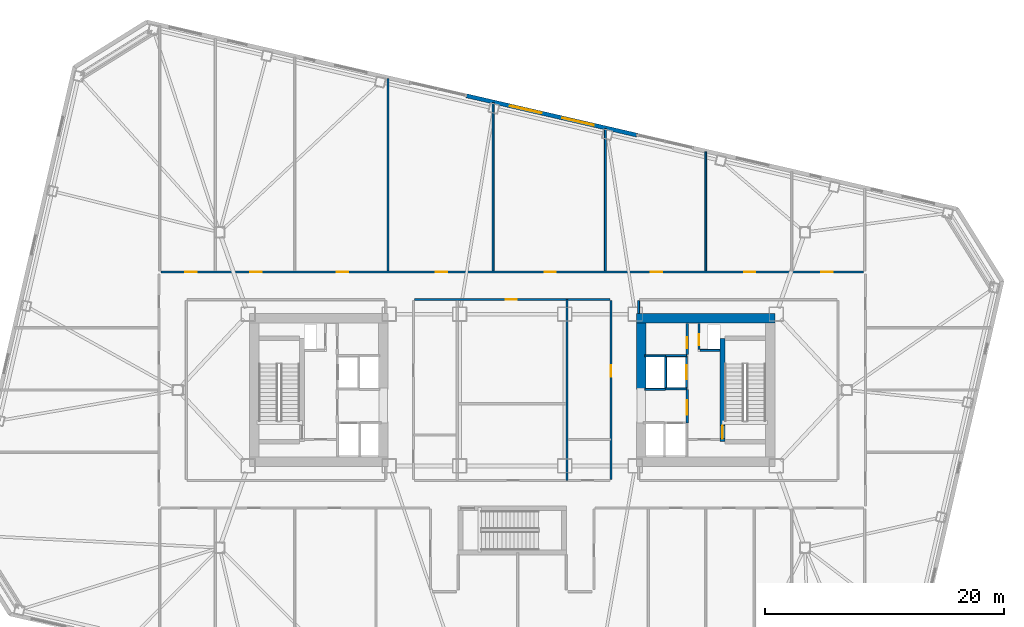
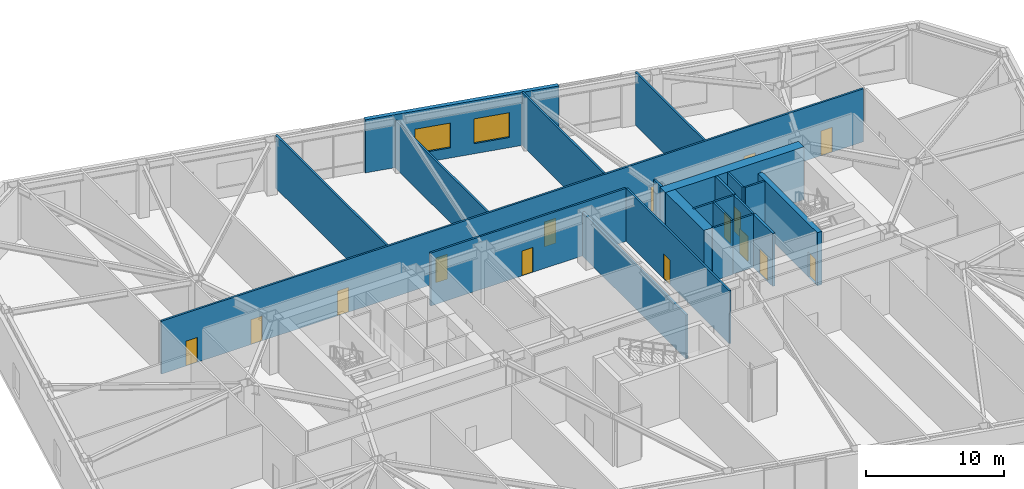
# One storey, part 12 of 20: 23 walls, 15 doors, 2 windows, 17 openings.
"""IFC4 building model written with IfcOpenShell, lengths in metres."""

from ifc_helpers import new_model, si_unit, direction, frame, frame_2d, origin, place, context, subcontext, project, spatial, rectangle, extrude, material, layer, layer_set, type_object, element, fill, save


model = new_model("IFC4")

# Units and contexts
model_context = context("Model", 3, precision=1e-05, world=origin(), true_north=direction((0.0, 1.0)))
body_context = subcontext(model_context, "Body", "Model", "MODEL_VIEW")
ifc_project = project(units=[si_unit("LENGTHUNIT", "METRE"), si_unit("AREAUNIT", "SQUARE_METRE"), si_unit("VOLUMEUNIT", "CUBIC_METRE"), si_unit("PLANEANGLEUNIT", "RADIAN"), si_unit("MASSUNIT", "GRAM", prefix="KILO")], contexts=[model_context])

# Site, building, storey
site_placement = place(None, origin())
site = spatial("IfcSite", under=ifc_project, at=site_placement, CompositionType="ELEMENT")
building_placement = place(site_placement, origin())
building = spatial("IfcBuilding", under=site, at=building_placement, Name="Tavrogorsk Clinical Tower", CompositionType="ELEMENT")
storey_placement = place(building_placement, frame((0.0, 0.0, 18.39990234375)))
storey = spatial("IfcBuildingStorey", under=building, at=storey_placement, Name="L03", CompositionType="ELEMENT", Elevation=18.39990234375)

# Wall, opening, door
ifc_material_1 = material(Name="Concrete B60", Category="concrete")
ifc_layer_1 = layer(ifc_material_1, 0.199951171875)
ifc_layer_set_1 = layer_set([ifc_layer_1], Name="Concrete B60")
wall_type_1 = type_object("IfcWallType", Name="CoreFireWall_200", PredefinedType="SOLIDWALL", material=ifc_layer_set_1)
wall_1_placement = place(storey_placement, frame((14.639892578125, 2.9599609375, 0.0), z_axis=(0.0, 0.0, 1.0), x_axis=(0.0, 1.0, 0.0)))
wall_1 = element("IfcWall", 1, at=wall_1_placement, inside=storey, type_object=wall_type_1, Name="L03 Core East North Core Room East Wall", PredefinedType="SOLIDWALL", context=body_context, shape_type="SweptSolid", body=[
    extrude(rectangle(XDim=2.60009765625, YDim=0.199951171875, at=frame_2d((1.300048828125, 0.0))), origin(), (0.0, 0.0, 1.0), 4.7001953125),
])
opening_1_placement = place(wall_1_placement, frame((0.52001953125, 0.0, 0.0)))
opening_1 = element("IfcOpeningElement", 2, at=opening_1_placement, cuts=wall_1, Name="Opening ID-02", PredefinedType="OPENING", context=body_context, shape_type="SweptSolid", body=[
    extrude(rectangle(XDim=0.949951171875, YDim=2.199951171875, at=frame_2d((0.47509765625, 1.10009765625))), frame((0.0, 0.10986328125, 0.0), z_axis=(0.0, -1.0, 0.0), x_axis=(1.0, 0.0, 0.0)), (0.0, 0.0, 1.0), 0.219970703125),
])
ifc_material_2 = material(Name="Laminated timber leaf on aluminium frame", Category="wood")
door_type_1 = type_object("IfcDoorType", Name="InteriorDoor_ID02_950", OperationType="NOTDEFINED", PredefinedType="DOOR", material=ifc_material_2)
door_1_placement = place(opening_1_placement, origin())
door_1 = element("IfcDoor", 3, at=door_1_placement, inside=storey, type_object=door_type_1, Name="L03 Core East Core Telemetry Room Door", OperationType="SINGLE_SWING_LEFT", OverallHeight=2.199951171875, OverallWidth=0.949951171875, PredefinedType="DOOR", context=body_context, shape_type="SweptSolid", body=[
    extrude(rectangle(XDim=0.949951171875, YDim=2.199951171875, at=frame_2d((0.47509765625, 1.10009765625))), frame((0.0, 0.02490234375, 0.0), z_axis=(0.0, -1.0, 0.0), x_axis=(1.0, 0.0, 0.0)), (0.0, 0.0, 1.0), 0.050048828125),
])
fill(opening_1, door_1)

wall_2_placement = place(storey_placement, frame((14.639892578125, -2.780029296875, 0.0), z_axis=(0.0, 0.0, 1.0), x_axis=(0.0, 1.0, 0.0)))
wall_2 = element("IfcWall", 4, at=wall_2_placement, inside=storey, type_object=wall_type_1, Name="L03 Core East Firefighting Lobby Fire Wall", PredefinedType="SOLIDWALL", context=body_context, shape_type="SweptSolid", body=[
    extrude(rectangle(XDim=2.820068359375, YDim=0.199951171875, at=frame_2d((1.41015625, 0.0))), origin(), (0.0, 0.0, 1.0), 4.7001953125),
])
opening_2_placement = place(wall_2_placement, frame((0.72998046875, 0.0, 0.0)))
opening_2 = element("IfcOpeningElement", 5, at=opening_2_placement, cuts=wall_2, Name="Opening FD-01", PredefinedType="OPENING", context=body_context, shape_type="SweptSolid", body=[
    extrude(rectangle(XDim=1.199951171875, YDim=2.199951171875, at=frame_2d((0.60009765625, 1.10009765625))), frame((0.0, 0.10986328125, 0.0), z_axis=(0.0, -1.0, 0.0), x_axis=(1.0, 0.0, 0.0)), (0.0, 0.0, 1.0), 0.219970703125),
])
ifc_material_3 = material(Name="Galvanised steel fire-rated door assembly", Category="steel")
door_type_2 = type_object("IfcDoorType", Name="FireDoor_FD01_1200", OperationType="NOTDEFINED", PredefinedType="DOOR", material=ifc_material_3)
door_2_placement = place(opening_2_placement, origin())
door_2 = element("IfcDoor", 6, at=door_2_placement, inside=storey, type_object=door_type_2, Name="L03 Core East Firefighting Lobby Entry Door", OperationType="SINGLE_SWING_RIGHT", OverallHeight=2.199951171875, OverallWidth=1.199951171875, PredefinedType="DOOR", context=body_context, shape_type="SweptSolid", body=[
    extrude(rectangle(XDim=1.199951171875, YDim=2.199951171875, at=frame_2d((0.60009765625, 1.10009765625))), frame((0.0, 0.02490234375, 0.0), z_axis=(0.0, -1.0, 0.0), x_axis=(1.0, 0.0, 0.0)), (0.0, 0.0, 1.0), 0.050048828125),
])
fill(opening_2, door_2)

# Wall, openings, doors
ifc_material_4 = material(Name="Lightweight concrete blockwork B15", Category="masonry")
ifc_layer_2 = layer(ifc_material_4, 0.159912109375)
ifc_layer_set_2 = layer_set([ifc_layer_2], Name="Lightweight concrete blockwork B15")
wall_type_2 = type_object("IfcWallType", Name="PartitionWall_160", PredefinedType="PARTITIONING", material=ifc_layer_set_2)
wall_3_placement = place(storey_placement, frame((-29.4150390625, 9.8798828125, 0.0), z_axis=(0.0, 0.0, 1.0), x_axis=(1.0, 0.0, 0.0)))
wall_3 = element("IfcWall", 7, at=wall_3_placement, inside=storey, type_object=wall_type_2, Name="L03 Corridor Partition 02", PredefinedType="PARTITIONING", context=body_context, shape_type="SweptSolid", body=[
    extrude(rectangle(XDim=58.830078125, YDim=0.159912109375, at=frame_2d((29.4150390625, 0.0))), origin(), (0.0, 0.0, 1.0), 4.7001953125),
])
opening_3_placement = place(wall_3_placement, frame((2.044189453125, 0.0, 0.0)))
opening_3 = element("IfcOpeningElement", 8, at=opening_3_placement, cuts=wall_3, Name="Opening ID-02", PredefinedType="OPENING", context=body_context, shape_type="SweptSolid", body=[
    extrude(rectangle(XDim=0.949951171875, YDim=2.199951171875, at=frame_2d((0.47509765625, 1.10009765625))), frame((0.0, 0.08984375, 0.0), z_axis=(0.0, -1.0, 0.0), x_axis=(1.0, 0.0, 0.0)), (0.0, 0.0, 1.0), 0.179931640625),
])
opening_4_placement = place(wall_3_placement, frame((7.5, 0.0, 0.0)))
opening_4 = element("IfcOpeningElement", 9, at=opening_4_placement, cuts=wall_3, Name="Opening ID-02", PredefinedType="OPENING", context=body_context, shape_type="SweptSolid", body=[
    extrude(rectangle(XDim=0.949951171875, YDim=2.199951171875, at=frame_2d((0.47509765625, 1.10009765625))), frame((0.0, 0.08984375, 0.0), z_axis=(0.0, -1.0, 0.0), x_axis=(1.0, 0.0, 0.0)), (0.0, 0.0, 1.0), 0.179931640625),
])
opening_5_placement = place(wall_3_placement, frame((14.72509765625, 0.0, 0.0)))
opening_5 = element("IfcOpeningElement", 10, at=opening_5_placement, cuts=wall_3, Name="Opening ID-02", PredefinedType="OPENING", context=body_context, shape_type="SweptSolid", body=[
    extrude(rectangle(XDim=0.949951171875, YDim=2.199951171875, at=frame_2d((0.47509765625, 1.10009765625))), frame((0.0, 0.08984375, 0.0), z_axis=(0.0, -1.0, 0.0), x_axis=(1.0, 0.0, 0.0)), (0.0, 0.0, 1.0), 0.179931640625),
])
opening_6_placement = place(wall_3_placement, frame((23.02490234375, 0.0, 0.0)))
opening_6 = element("IfcOpeningElement", 11, at=opening_6_placement, cuts=wall_3, Name="Opening ID-02", PredefinedType="OPENING", context=body_context, shape_type="SweptSolid", body=[
    extrude(rectangle(XDim=0.949951171875, YDim=2.199951171875, at=frame_2d((0.47509765625, 1.10009765625))), frame((0.0, 0.08984375, 0.0), z_axis=(0.0, -1.0, 0.0), x_axis=(1.0, 0.0, 0.0)), (0.0, 0.0, 1.0), 0.179931640625),
])
opening_7_placement = place(wall_3_placement, frame((32.125, 0.0, 0.0)))
opening_7 = element("IfcOpeningElement", 12, at=opening_7_placement, cuts=wall_3, Name="Opening ID-02", PredefinedType="OPENING", context=body_context, shape_type="SweptSolid", body=[
    extrude(rectangle(XDim=0.949951171875, YDim=2.199951171875, at=frame_2d((0.47509765625, 1.10009765625))), frame((0.0, 0.08984375, 0.0), z_axis=(0.0, -1.0, 0.0), x_axis=(1.0, 0.0, 0.0)), (0.0, 0.0, 1.0), 0.179931640625),
])
opening_8_placement = place(wall_3_placement, frame((41.02490234375, 0.0, 0.0)))
opening_8 = element("IfcOpeningElement", 13, at=opening_8_placement, cuts=wall_3, Name="Opening ID-02", PredefinedType="OPENING", context=body_context, shape_type="SweptSolid", body=[
    extrude(rectangle(XDim=0.949951171875, YDim=2.199951171875, at=frame_2d((0.47509765625, 1.10009765625))), frame((0.0, 0.08984375, 0.0), z_axis=(0.0, -1.0, 0.0), x_axis=(1.0, 0.0, 0.0)), (0.0, 0.0, 1.0), 0.179931640625),
])
opening_9_placement = place(wall_3_placement, frame((48.824951171875, 0.0, 0.0)))
opening_9 = element("IfcOpeningElement", 14, at=opening_9_placement, cuts=wall_3, Name="Opening ID-02", PredefinedType="OPENING", context=body_context, shape_type="SweptSolid", body=[
    extrude(rectangle(XDim=0.949951171875, YDim=2.199951171875, at=frame_2d((0.47509765625, 1.10009765625))), frame((0.0, 0.08984375, 0.0), z_axis=(0.0, -1.0, 0.0), x_axis=(1.0, 0.0, 0.0)), (0.0, 0.0, 1.0), 0.179931640625),
])
opening_10_placement = place(wall_3_placement, frame((55.281005859375, 0.0, 0.0)))
opening_10 = element("IfcOpeningElement", 15, at=opening_10_placement, cuts=wall_3, Name="Opening ID-02", PredefinedType="OPENING", context=body_context, shape_type="SweptSolid", body=[
    extrude(rectangle(XDim=0.949951171875, YDim=2.199951171875, at=frame_2d((0.47509765625, 1.10009765625))), frame((0.0, 0.08984375, 0.0), z_axis=(0.0, -1.0, 0.0), x_axis=(1.0, 0.0, 0.0)), (0.0, 0.0, 1.0), 0.179931640625),
])
door_3_placement = place(opening_3_placement, origin())
door_3 = element("IfcDoor", 16, at=door_3_placement, inside=storey, type_object=door_type_1, Name="L03 North Hybrid Endovascular Operating Theatre 01 Door", OperationType="SINGLE_SWING_LEFT", OverallHeight=2.199951171875, OverallWidth=0.949951171875, PredefinedType="DOOR", context=body_context, shape_type="SweptSolid", body=[
    extrude(rectangle(XDim=0.949951171875, YDim=2.199951171875, at=frame_2d((0.47509765625, 1.10009765625))), frame((0.0, 0.02490234375, 0.0), z_axis=(0.0, -1.0, 0.0), x_axis=(1.0, 0.0, 0.0)), (0.0, 0.0, 1.0), 0.050048828125),
])
fill(opening_3, door_3)
door_4_placement = place(opening_4_placement, origin())
door_4 = element("IfcDoor", 17, at=door_4_placement, inside=storey, type_object=door_type_1, Name="L03 North Anaesthesia Induction Room 02 Door", OperationType="SINGLE_SWING_RIGHT", OverallHeight=2.199951171875, OverallWidth=0.949951171875, PredefinedType="DOOR", context=body_context, shape_type="SweptSolid", body=[
    extrude(rectangle(XDim=0.949951171875, YDim=2.199951171875, at=frame_2d((0.47509765625, 1.10009765625))), frame((0.0, 0.02490234375, 0.0), z_axis=(0.0, -1.0, 0.0), x_axis=(1.0, 0.0, 0.0)), (0.0, 0.0, 1.0), 0.050048828125),
])
fill(opening_4, door_4)
door_5_placement = place(opening_5_placement, origin())
door_5 = element("IfcDoor", 18, at=door_5_placement, inside=storey, type_object=door_type_1, Name="L03 North Hybrid Endovascular Operating Theatre 03 Door", OperationType="SINGLE_SWING_LEFT", OverallHeight=2.199951171875, OverallWidth=0.949951171875, PredefinedType="DOOR", context=body_context, shape_type="SweptSolid", body=[
    extrude(rectangle(XDim=0.949951171875, YDim=2.199951171875, at=frame_2d((0.47509765625, 1.10009765625))), frame((0.0, 0.02490234375, 0.0), z_axis=(0.0, -1.0, 0.0), x_axis=(1.0, 0.0, 0.0)), (0.0, 0.0, 1.0), 0.050048828125),
])
fill(opening_5, door_5)
door_6_placement = place(opening_6_placement, origin())
door_6 = element("IfcDoor", 19, at=door_6_placement, inside=storey, type_object=door_type_1, Name="L03 North Anaesthesia Induction Room 04 Door", OperationType="SINGLE_SWING_RIGHT", OverallHeight=2.199951171875, OverallWidth=0.949951171875, PredefinedType="DOOR", context=body_context, shape_type="SweptSolid", body=[
    extrude(rectangle(XDim=0.949951171875, YDim=2.199951171875, at=frame_2d((0.47509765625, 1.10009765625))), frame((0.0, 0.02490234375, 0.0), z_axis=(0.0, -1.0, 0.0), x_axis=(1.0, 0.0, 0.0)), (0.0, 0.0, 1.0), 0.050048828125),
])
fill(opening_6, door_6)
door_7_placement = place(opening_7_placement, origin())
door_7 = element("IfcDoor", 20, at=door_7_placement, inside=storey, type_object=door_type_1, Name="L03 North Hybrid Endovascular Operating Theatre 05 Door", OperationType="SINGLE_SWING_LEFT", OverallHeight=2.199951171875, OverallWidth=0.949951171875, PredefinedType="DOOR", context=body_context, shape_type="SweptSolid", body=[
    extrude(rectangle(XDim=0.949951171875, YDim=2.199951171875, at=frame_2d((0.47509765625, 1.10009765625))), frame((0.0, 0.02490234375, 0.0), z_axis=(0.0, -1.0, 0.0), x_axis=(1.0, 0.0, 0.0)), (0.0, 0.0, 1.0), 0.050048828125),
])
fill(opening_7, door_7)
door_8_placement = place(opening_8_placement, origin())
door_8 = element("IfcDoor", 21, at=door_8_placement, inside=storey, type_object=door_type_1, Name="L03 North Anaesthesia Induction Room 06 Door", OperationType="SINGLE_SWING_RIGHT", OverallHeight=2.199951171875, OverallWidth=0.949951171875, PredefinedType="DOOR", context=body_context, shape_type="SweptSolid", body=[
    extrude(rectangle(XDim=0.949951171875, YDim=2.199951171875, at=frame_2d((0.47509765625, 1.10009765625))), frame((0.0, 0.02490234375, 0.0), z_axis=(0.0, -1.0, 0.0), x_axis=(1.0, 0.0, 0.0)), (0.0, 0.0, 1.0), 0.050048828125),
])
fill(opening_8, door_8)
door_9_placement = place(opening_9_placement, origin())
door_9 = element("IfcDoor", 22, at=door_9_placement, inside=storey, type_object=door_type_1, Name="L03 North Hybrid Endovascular Operating Theatre 07 Door", OperationType="SINGLE_SWING_LEFT", OverallHeight=2.199951171875, OverallWidth=0.949951171875, PredefinedType="DOOR", context=body_context, shape_type="SweptSolid", body=[
    extrude(rectangle(XDim=0.949951171875, YDim=2.199951171875, at=frame_2d((0.47509765625, 1.10009765625))), frame((0.0, 0.02490234375, 0.0), z_axis=(0.0, -1.0, 0.0), x_axis=(1.0, 0.0, 0.0)), (0.0, 0.0, 1.0), 0.050048828125),
])
fill(opening_9, door_9)
door_10_placement = place(opening_10_placement, origin())
door_10 = element("IfcDoor", 23, at=door_10_placement, inside=storey, type_object=door_type_1, Name="L03 North Anaesthesia Induction Room 08 Door", OperationType="SINGLE_SWING_RIGHT", OverallHeight=2.199951171875, OverallWidth=0.949951171875, PredefinedType="DOOR", context=body_context, shape_type="SweptSolid", body=[
    extrude(rectangle(XDim=0.949951171875, YDim=2.199951171875, at=frame_2d((0.47509765625, 1.10009765625))), frame((0.0, 0.02490234375, 0.0), z_axis=(0.0, -1.0, 0.0), x_axis=(1.0, 0.0, 0.0)), (0.0, 0.0, 1.0), 0.050048828125),
])
fill(opening_10, door_10)

# Wall
wall_4_placement = place(storey_placement, frame((10.580078125, 7.485107421875, 0.0), z_axis=(0.0, 0.0, 1.0), x_axis=(0.0, -1.0, 0.0)))
element("IfcWall", 24, at=wall_4_placement, inside=storey, type_object=wall_type_2, Name="L03 Corridor Partition 13", PredefinedType="PARTITIONING", context=body_context, shape_type="SweptSolid", body=[
    extrude(rectangle(XDim=1.065185546875, YDim=0.159912109375, at=frame_2d((0.53271484375, 0.0))), origin(), (0.0, 0.0, 1.0), 4.7001953125),
])

# Wall, opening, door
wall_5_placement = place(storey_placement, frame((8.18505859375, 7.570068359375, 0.0), z_axis=(0.0, 0.0, 1.0), x_axis=(-1.0, 0.0, 0.0)))
wall_5 = element("IfcWall", 25, at=wall_5_placement, inside=storey, type_object=wall_type_2, Name="L03 Corridor Partition 17", PredefinedType="PARTITIONING", context=body_context, shape_type="SweptSolid", body=[
    extrude(rectangle(XDim=16.3701171875, YDim=0.159912109375, at=frame_2d((8.18505859375, 0.0))), origin(), (0.0, 0.0, 1.0), 4.7001953125),
])
opening_11_placement = place(wall_5_placement, frame((7.794921875, 0.0, 0.0)))
opening_11 = element("IfcOpeningElement", 26, at=opening_11_placement, cuts=wall_5, Name="Opening ID-02", PredefinedType="OPENING", context=body_context, shape_type="SweptSolid", body=[
    extrude(rectangle(XDim=0.949951171875, YDim=2.199951171875, at=frame_2d((0.47509765625, 1.10009765625))), frame((0.0, 0.08984375, 0.0), z_axis=(0.0, -1.0, 0.0), x_axis=(1.0, 0.0, 0.0)), (0.0, 0.0, 1.0), 0.179931640625),
])
door_11_placement = place(opening_11_placement, origin())
door_11 = element("IfcDoor", 27, at=door_11_placement, inside=storey, type_object=door_type_1, Name="L03 Nurses' Station & Triage Hub Door", OperationType="SINGLE_SWING_LEFT", OverallHeight=2.199951171875, OverallWidth=0.949951171875, PredefinedType="DOOR", context=body_context, shape_type="SweptSolid", body=[
    extrude(rectangle(XDim=0.949951171875, YDim=2.199951171875, at=frame_2d((0.47509765625, 1.10009765625))), frame((0.0, 0.02490234375, 0.0), z_axis=(0.0, -1.0, 0.0), x_axis=(1.0, 0.0, 0.0)), (0.0, 0.0, 1.0), 0.050048828125),
])
fill(opening_11, door_11)

wall_6_placement = place(storey_placement, frame((8.27001953125, -7.485107421875, 0.0), z_axis=(0.0, 0.0, 1.0), x_axis=(0.0, 1.0, 0.0)))
wall_6 = element("IfcWall", 28, at=wall_6_placement, inside=storey, type_object=wall_type_2, Name="L03 Corridor Partition 20", PredefinedType="PARTITIONING", context=body_context, shape_type="SweptSolid", body=[
    extrude(rectangle(XDim=14.97021484375, YDim=0.159912109375, at=frame_2d((7.485107421875, 0.0))), origin(), (0.0, 0.0, 1.0), 4.7001953125),
])
opening_12_placement = place(wall_6_placement, frame((8.61083984375, 0.0, 0.0)))
opening_12 = element("IfcOpeningElement", 29, at=opening_12_placement, cuts=wall_6, Name="Opening ID-02", PredefinedType="OPENING", context=body_context, shape_type="SweptSolid", body=[
    extrude(rectangle(XDim=0.949951171875, YDim=2.199951171875, at=frame_2d((0.47509765625, 1.10009765625))), frame((0.0, 0.08984375, 0.0), z_axis=(0.0, -1.0, 0.0), x_axis=(1.0, 0.0, 0.0)), (0.0, 0.0, 1.0), 0.179931640625),
])
door_12_placement = place(opening_12_placement, origin())
door_12 = element("IfcDoor", 30, at=door_12_placement, inside=storey, type_object=door_type_1, Name="L03 Attending Physician Office Door", OperationType="SINGLE_SWING_LEFT", OverallHeight=2.199951171875, OverallWidth=0.949951171875, PredefinedType="DOOR", context=body_context, shape_type="SweptSolid", body=[
    extrude(rectangle(XDim=0.949951171875, YDim=2.199951171875, at=frame_2d((0.47509765625, 1.10009765625))), frame((0.0, 0.02490234375, 0.0), z_axis=(0.0, -1.0, 0.0), x_axis=(1.0, 0.0, 0.0)), (0.0, 0.0, 1.0), 0.050048828125),
])
fill(opening_12, door_12)

# Walls
wall_7_placement = place(storey_placement, frame((-10.39990234375, 9.965087890625, 0.0), z_axis=(0.0, 0.0, 1.0), x_axis=(0.0, 1.0, 0.0)))
element("IfcWall", 31, at=wall_7_placement, inside=storey, type_object=wall_type_2, Name="L03 North Room Partition 3", PredefinedType="PARTITIONING", context=body_context, shape_type="SweptSolid", body=[
    extrude(rectangle(XDim=16.10888671875, YDim=0.159912109375, at=frame_2d((8.054443359375, 0.0))), origin(), (0.0, 0.0, 1.0), 4.7001953125),
])
wall_8_placement = place(storey_placement, frame((-1.60009765625, 9.965087890625, 0.0), z_axis=(0.0, 0.0, 1.0), x_axis=(0.0, 1.0, 0.0)))
element("IfcWall", 32, at=wall_8_placement, inside=storey, type_object=wall_type_2, Name="L03 North Room Partition 4", PredefinedType="PARTITIONING", context=body_context, shape_type="SweptSolid", body=[
    extrude(rectangle(XDim=14.077392578125, YDim=0.159912109375, at=frame_2d((7.03857421875, 0.0))), origin(), (0.0, 0.0, 1.0), 4.195068359375),
])
wall_9_placement = place(storey_placement, frame((7.800048828125, 9.965087890625, 0.0), z_axis=(0.0, 0.0, 1.0), x_axis=(0.0, 1.0, 0.0)))
element("IfcWall", 33, at=wall_9_placement, inside=storey, type_object=wall_type_2, Name="L03 North Room Partition 5", PredefinedType="PARTITIONING", context=body_context, shape_type="SweptSolid", body=[
    extrude(rectangle(XDim=11.9072265625, YDim=0.159912109375, at=frame_2d((5.95361328125, 0.0))), origin(), (0.0, 0.0, 1.0), 4.7001953125),
])
wall_10_placement = place(storey_placement, frame((16.199951171875, 9.965087890625, 0.0), z_axis=(0.0, 0.0, 1.0), x_axis=(0.0, 1.0, 0.0)))
element("IfcWall", 34, at=wall_10_placement, inside=storey, type_object=wall_type_2, Name="L03 North Room Partition 6", PredefinedType="PARTITIONING", context=body_context, shape_type="SweptSolid", body=[
    extrude(rectangle(XDim=9.9677734375, YDim=0.159912109375, at=frame_2d((4.98388671875, 0.0))), origin(), (0.0, 0.0, 1.0), 4.7001953125),
])
ifc_material_5 = material(Name="Lightweight concrete blockwork B20", Category="masonry")
ifc_layer_3 = layer(ifc_material_5, 0.179931640625)
ifc_layer_set_3 = layer_set([ifc_layer_3], Name="Lightweight concrete blockwork B20")
wall_type_3 = type_object("IfcWallType", Name="PartitionWall_180", PredefinedType="PARTITIONING", material=ifc_layer_set_3)
wall_11_placement = place(storey_placement, frame((4.60009765625, -7.56494140625, 0.0), z_axis=(0.0, 0.0, 1.0), x_axis=(0.0, 1.0, 0.0)))
element("IfcWall", 35, at=wall_11_placement, inside=storey, type_object=wall_type_3, Name="L03 Central Spine Partition 2", PredefinedType="PARTITIONING", context=body_context, shape_type="SweptSolid", body=[
    extrude(rectangle(XDim=15.1298828125, YDim=0.179931640625, at=frame_2d((7.56494140625, 0.0))), origin(), (0.0, 0.0, 1.0), 3.89501953125),
])

# Wall, openings, windows
ifc_material_6 = material(Name="Precast concrete B45 with limestone cladding", Category="masonry")
ifc_layer_4 = layer(ifc_material_6, 0.340087890625)
ifc_layer_set_4 = layer_set([ifc_layer_4], Name="Precast concrete B45 with limestone cladding")
wall_type_4 = type_object("IfcWallType", Name="PrecastLimestoneWall_340", PredefinedType="STANDARD", material=ifc_layer_set_4)
wall_12_placement = place(storey_placement, frame((10.480712890625, 21.3251953125, 0.0), z_axis=(0.0, 0.0, 1.0), x_axis=(-0.974369353393, 0.2249541357, 0.0)))
wall_12 = element("IfcWall", 36, at=wall_12_placement, inside=storey, type_object=wall_type_4, Name="L03 N Limestone Facade Wall 2", PredefinedType="STANDARD", context=body_context, shape_type="SweptSolid", body=[
    extrude(rectangle(XDim=14.697021484375, YDim=0.340087890625, at=frame_2d((7.3486328125, 0.0))), origin(), (0.0, 0.0, 1.0), 4.7001953125),
])
opening_13_placement = place(wall_12_placement, frame((8.24072265625, 0.0, 0.89990234375)))
opening_13 = element("IfcOpeningElement", 37, at=opening_13_placement, cuts=wall_12, Name="Opening WN-02", PredefinedType="OPENING", context=body_context, shape_type="SweptSolid", body=[
    extrude(rectangle(XDim=2.699951171875, YDim=2.199951171875, at=frame_2d((1.35009765625, 1.10009765625))), frame((0.0, 0.179931640625, 0.0), z_axis=(0.0, -1.0, 0.0), x_axis=(1.0, 0.0, 0.0)), (0.0, 0.0, 1.0), 0.360107421875),
])
opening_14_placement = place(wall_12_placement, frame((3.75634765625, 0.0, 0.89990234375)))
opening_14 = element("IfcOpeningElement", 38, at=opening_14_placement, cuts=wall_12, Name="Opening WN-02", PredefinedType="OPENING", context=body_context, shape_type="SweptSolid", body=[
    extrude(rectangle(XDim=2.699951171875, YDim=2.199951171875, at=frame_2d((1.35009765625, 1.10009765625))), frame((0.0, 0.179931640625, 0.0), z_axis=(0.0, -1.0, 0.0), x_axis=(1.0, 0.0, 0.0)), (0.0, 0.0, 1.0), 0.360107421875),
])
ifc_material_7 = material(Name="Thermally broken aluminium frame and triple IGU", Category="aluminium")
window_type = type_object("IfcWindowType", Name="WardChicagoWin_2700x2200", PartitioningType="TRIPLE_PANEL_HORIZONTAL", PredefinedType="WINDOW", material=ifc_material_7)
window_1_placement = place(opening_13_placement, origin())
window_1 = element("IfcWindow", 39, at=window_1_placement, inside=storey, type_object=window_type, Name="L03 N Chicago Window 05", OverallHeight=2.199951171875, OverallWidth=2.699951171875, PartitioningType="SINGLE_PANEL", PredefinedType="WINDOW", context=body_context, shape_type="SweptSolid", body=[
    extrude(rectangle(XDim=2.699951171875, YDim=2.199951171875, at=frame_2d((1.35009765625, 1.10009765625))), frame((0.0, 0.030029296875, 0.0), z_axis=(0.0, -1.0, 0.0), x_axis=(1.0, 0.0, 0.0)), (0.0, 0.0, 1.0), 0.06005859375),
])
fill(opening_13, window_1)
window_2_placement = place(opening_14_placement, origin())
window_2 = element("IfcWindow", 40, at=window_2_placement, inside=storey, type_object=window_type, Name="L03 N Chicago Window 06", OverallHeight=2.199951171875, OverallWidth=2.699951171875, PartitioningType="SINGLE_PANEL", PredefinedType="WINDOW", context=body_context, shape_type="SweptSolid", body=[
    extrude(rectangle(XDim=2.699951171875, YDim=2.199951171875, at=frame_2d((1.35009765625, 1.10009765625))), frame((0.0, 0.030029296875, 0.0), z_axis=(0.0, -1.0, 0.0), x_axis=(1.0, 0.0, 0.0)), (0.0, 0.0, 1.0), 0.06005859375),
])
fill(opening_14, window_2)

# Wall, opening, door
ifc_material_8 = material(Name="Lightweight concrete blockwork B25", Category="masonry")
ifc_layer_5 = layer(ifc_material_8, 0.159912109375)
ifc_layer_set_5 = layer_set([ifc_layer_5], Name="Lightweight concrete blockwork B25")
wall_type_5 = type_object("IfcWallType", Name="ShaftWall_160", PredefinedType="PARTITIONING", material=ifc_layer_set_5)
wall_13_placement = place(storey_placement, frame((14.60009765625, 0.1201171875, 0.0), z_axis=(0.0, 0.0, 1.0), x_axis=(0.0, 1.0, 0.0)))
wall_13 = element("IfcWall", 41, at=wall_13_placement, inside=storey, type_object=wall_type_5, Name="L03 FFL-E Firefighting Lift Front Wall", PredefinedType="PARTITIONING", context=body_context, shape_type="SweptSolid", body=[
    extrude(rectangle(XDim=2.739990234375, YDim=0.159912109375, at=frame_2d((1.3701171875, 0.0))), origin(), (0.0, 0.0, 1.0), 4.7001953125),
])
opening_15_placement = place(wall_13_placement, frame((0.77001953125, 0.0, 0.0)))
opening_15 = element("IfcOpeningElement", 42, at=opening_15_placement, cuts=wall_13, Name="Opening LD", PredefinedType="OPENING", context=body_context, shape_type="SweptSolid", body=[
    extrude(rectangle(XDim=1.199951171875, YDim=2.199951171875, at=frame_2d((0.60009765625, 1.10009765625))), frame((0.0, 0.08984375, 0.0), z_axis=(0.0, -1.0, 0.0), x_axis=(1.0, 0.0, 0.0)), (0.0, 0.0, 1.0), 0.179931640625),
])
ifc_material_9 = material(Name="Brushed stainless steel AISI 304 sliding doors", Category="steel")
door_type_3 = type_object("IfcDoorType", Name="LiftLandingDoor_LD_1200", OperationType="SLIDING_TO_LEFT", PredefinedType="DOOR", material=ifc_material_9)
door_13_placement = place(opening_15_placement, origin())
door_13 = element("IfcDoor", 43, at=door_13_placement, inside=storey, type_object=door_type_3, Name="L03 FFL-E Sliding Lift Landing Door", OperationType="SLIDING_TO_LEFT", OverallHeight=2.199951171875, OverallWidth=1.199951171875, PredefinedType="DOOR", context=body_context, shape_type="SweptSolid", body=[
    extrude(rectangle(XDim=1.199951171875, YDim=2.199951171875, at=frame_2d((0.60009765625, 1.10009765625))), frame((0.0, 0.02490234375, 0.0), z_axis=(0.0, -1.0, 0.0), x_axis=(1.0, 0.0, 0.0)), (0.0, 0.0, 1.0), 0.050048828125),
])
fill(opening_15, door_13)

# Walls
for number, where, z_axis, x_axis, name in (
    (44, (12.840087890625, 0.10009765625, 0.0), (0.0, 0.0, 1.0), (1.0, 0.0, 0.0), "L03 FFL-E Shaft South Wall"),
    (45, (12.840087890625, 2.8798828125, 0.0), (0.0, 0.0, 1.0), (1.0, 0.0, 0.0), "L03 FFL-E Shaft North Wall"),
):
    element("IfcWall", number, at=place(storey_placement, frame(where, z_axis=z_axis, x_axis=x_axis)), inside=storey, type_object=wall_type_5, Name=name, PredefinedType="PARTITIONING", context=body_context, shape_type="SweptSolid", body=[
        extrude(rectangle(XDim=1.760009765625, YDim=0.159912109375, at=frame_2d((0.8798828125, 0.0))), origin(), (0.0, 0.0, 1.0), 4.7001953125),
    ])
wall_14_placement = place(storey_placement, frame((12.840087890625, 0.179931640625, 0.0), z_axis=(0.0, 0.0, 1.0), x_axis=(0.0, 1.0, 0.0)))
element("IfcWall", 46, at=wall_14_placement, inside=storey, type_object=wall_type_5, Name="L03 FFL-E Shaft Back Wall", PredefinedType="PARTITIONING", context=body_context, shape_type="SweptSolid", body=[
    extrude(rectangle(XDim=2.6201171875, YDim=0.159912109375, at=frame_2d((1.31005859375, 0.0))), origin(), (0.0, 0.0, 1.0), 4.7001953125),
])
for number, where, z_axis, x_axis, name in (
    (47, (11.10009765625, 0.06005859375, 0.0), (0.0, 0.0, 1.0), (1.0, 0.0, 0.0), "L03 LP-H2 High-Zone Lift Portal Wall"),
    (48, (11.10009765625, 2.860107421875, 0.0), (0.0, 0.0, 1.0), (1.0, 0.0, 0.0), "L03 LP-H2 High-Zone Lift Rear Wall"),
):
    element("IfcWall", number, at=place(storey_placement, frame(where, z_axis=z_axis, x_axis=x_axis)), inside=storey, type_object=wall_type_5, Name=name, PredefinedType="PARTITIONING", context=body_context, shape_type="SweptSolid", body=[
        extrude(rectangle(XDim=1.719970703125, YDim=0.159912109375, at=frame_2d((0.85986328125, 0.0))), origin(), (0.0, 0.0, 1.0), 4.7001953125),
    ])

# Wall, opening, door
wall_15_placement = place(storey_placement, frame((15.639892578125, 3.405029296875, 0.0), z_axis=(0.0, 0.0, 1.0), x_axis=(0.0, 1.0, 0.0)))
wall_15 = element("IfcWall", 49, at=wall_15_placement, inside=storey, type_object=wall_type_5, Name="L03 Core East Riser West Wall", PredefinedType="PARTITIONING", context=body_context, shape_type="SweptSolid", body=[
    extrude(rectangle(XDim=2.155029296875, YDim=0.159912109375, at=frame_2d((1.07763671875, 0.0))), origin(), (0.0, 0.0, 1.0), 4.7001953125),
])
opening_16_placement = place(wall_15_placement, frame((0.35009765625, 0.0, 0.0)))
opening_16 = element("IfcOpeningElement", 50, at=opening_16_placement, cuts=wall_15, Name="Opening FD-02", PredefinedType="OPENING", context=body_context, shape_type="SweptSolid", body=[
    extrude(rectangle(XDim=0.89990234375, YDim=2.199951171875, at=frame_2d((0.449951171875, 1.10009765625))), frame((0.0, 0.08984375, 0.0), z_axis=(0.0, -1.0, 0.0), x_axis=(1.0, 0.0, 0.0)), (0.0, 0.0, 1.0), 0.179931640625),
])
ifc_material_10 = material(Name="Galvanised steel fire-rated door assembly", Category="steel")
door_type_4 = type_object("IfcDoorType", Name="FireDoor_FD02_900", OperationType="NOTDEFINED", PredefinedType="DOOR", material=ifc_material_10)
door_14_placement = place(opening_16_placement, origin())
door_14 = element("IfcDoor", 51, at=door_14_placement, inside=storey, type_object=door_type_4, Name="L03 Core East Electrical Riser Access Door", OperationType="SINGLE_SWING_LEFT", OverallHeight=2.199951171875, OverallWidth=0.89990234375, PredefinedType="DOOR", context=body_context, shape_type="SweptSolid", body=[
    extrude(rectangle(XDim=0.89990234375, YDim=2.199951171875, at=frame_2d((0.449951171875, 1.10009765625))), frame((0.0, 0.02490234375, 0.0), z_axis=(0.0, -1.0, 0.0), x_axis=(1.0, 0.0, 0.0)), (0.0, 0.0, 1.0), 0.050048828125),
])
fill(opening_16, door_14)

# Wall
wall_16_placement = place(storey_placement, frame((15.72509765625, 3.320068359375, 0.0), z_axis=(0.0, 0.0, 1.0), x_axis=(1.0, 0.0, 0.0)))
element("IfcWall", 52, at=wall_16_placement, inside=storey, type_object=wall_type_5, Name="L03 Core East Riser South Wall", PredefinedType="PARTITIONING", context=body_context, shape_type="SweptSolid", body=[
    extrude(rectangle(XDim=1.65478515625, YDim=0.159912109375, at=frame_2d((0.827392578125, 0.0))), origin(), (0.0, 0.0, 1.0), 4.7001953125),
])

# Wall, opening, door
ifc_material_11 = material(Name="Concrete B80", Category="concrete")
ifc_layer_6 = layer(ifc_material_11, 0.39990234375)
ifc_layer_set_6 = layer_set([ifc_layer_6], Name="Concrete B80")
wall_type_6 = type_object("IfcWallType", Name="ShearWall_400", PredefinedType="SHEAR", material=ifc_layer_set_6)
wall_17_placement = place(storey_placement, frame((17.60009765625, -4.324951171875, 0.0), z_axis=(0.0, 0.0, 1.0), x_axis=(0.0, 1.0, 0.0)))
wall_17 = element("IfcWall", 53, at=wall_17_placement, inside=storey, type_object=wall_type_6, Name="L03 Core East Stair Shaft Inner Shear Wall", PredefinedType="SHEAR", context=body_context, shape_type="SweptSolid", body=[
    extrude(rectangle(XDim=8.64990234375, YDim=0.39990234375, at=frame_2d((4.324951171875, 0.0))), origin(), (0.0, 0.0, 1.0), 4.7001953125),
])
opening_17_placement = place(wall_17_placement, frame((0.25, 0.0, 0.0)))
opening_17 = element("IfcOpeningElement", 54, at=opening_17_placement, cuts=wall_17, Name="Opening SD-01", PredefinedType="OPENING", context=body_context, shape_type="SweptSolid", body=[
    extrude(rectangle(XDim=1.10009765625, YDim=2.199951171875, at=frame_2d((0.550048828125, 1.10009765625))), frame((0.0, 0.2099609375, 0.0), z_axis=(0.0, -1.0, 0.0), x_axis=(1.0, 0.0, 0.0)), (0.0, 0.0, 1.0), 0.419921875),
])
ifc_material_12 = material(Name="Galvanised steel smoke-tight fire door assembly", Category="steel")
door_type_5 = type_object("IfcDoorType", Name="StairFireDoor_SD01_1100", OperationType="NOTDEFINED", PredefinedType="DOOR", material=ifc_material_12)
door_15_placement = place(opening_17_placement, origin())
door_15 = element("IfcDoor", 55, at=door_15_placement, inside=storey, type_object=door_type_5, Name="L03 ST-E Exit Stair Door", OperationType="SINGLE_SWING_RIGHT", OverallHeight=2.199951171875, OverallWidth=1.10009765625, PredefinedType="DOOR", context=body_context, shape_type="SweptSolid", body=[
    extrude(rectangle(XDim=1.10009765625, YDim=2.199951171875, at=frame_2d((0.550048828125, 1.10009765625))), frame((0.0, 0.02490234375, 0.0), z_axis=(0.0, -1.0, 0.0), x_axis=(1.0, 0.0, 0.0)), (0.0, 0.0, 1.0), 0.050048828125),
])
fill(opening_17, door_15)

# Walls
ifc_material_13 = material(Name="Concrete B80", Category="concrete")
ifc_layer_7 = layer(ifc_material_13, 0.800048828125)
ifc_layer_set_7 = layer_set([ifc_layer_7], Name="Concrete B80")
wall_type_7 = type_object("IfcWallType", Name="ShearWall_800", PredefinedType="SHEAR", material=ifc_layer_set_7)
wall_18_placement = place(storey_placement, frame((10.39990234375, 6.0, 0.0), z_axis=(0.0, 0.0, 1.0), x_axis=(1.0, 0.0, 0.0)))
element("IfcWall", 56, at=wall_18_placement, inside=storey, type_object=wall_type_7, Name="L03 Core East North Shear Wall", PredefinedType="SHEAR", context=body_context, shape_type="SweptSolid", body=[
    extrude(rectangle(XDim=11.60009765625, YDim=0.800048828125, at=frame_2d((5.800048828125, 0.0))), origin(), (0.0, 0.0, 1.0), 4.7001953125),
])
wall_19_placement = place(storey_placement, frame((10.800048828125, 0.050048828125, 0.0), z_axis=(0.0, 0.0, 1.0), x_axis=(0.0, 1.0, 0.0)))
element("IfcWall", 57, at=wall_19_placement, inside=storey, type_object=wall_type_7, Name="L03 Core East Inner North Pier", PredefinedType="SHEAR", context=body_context, shape_type="SweptSolid", body=[
    extrude(rectangle(XDim=5.550048828125, YDim=0.800048828125, at=frame_2d((2.77490234375, 0.0))), origin(), (0.0, 0.0, 1.0), 4.7001953125),
])

save(model, "model.ifc")
